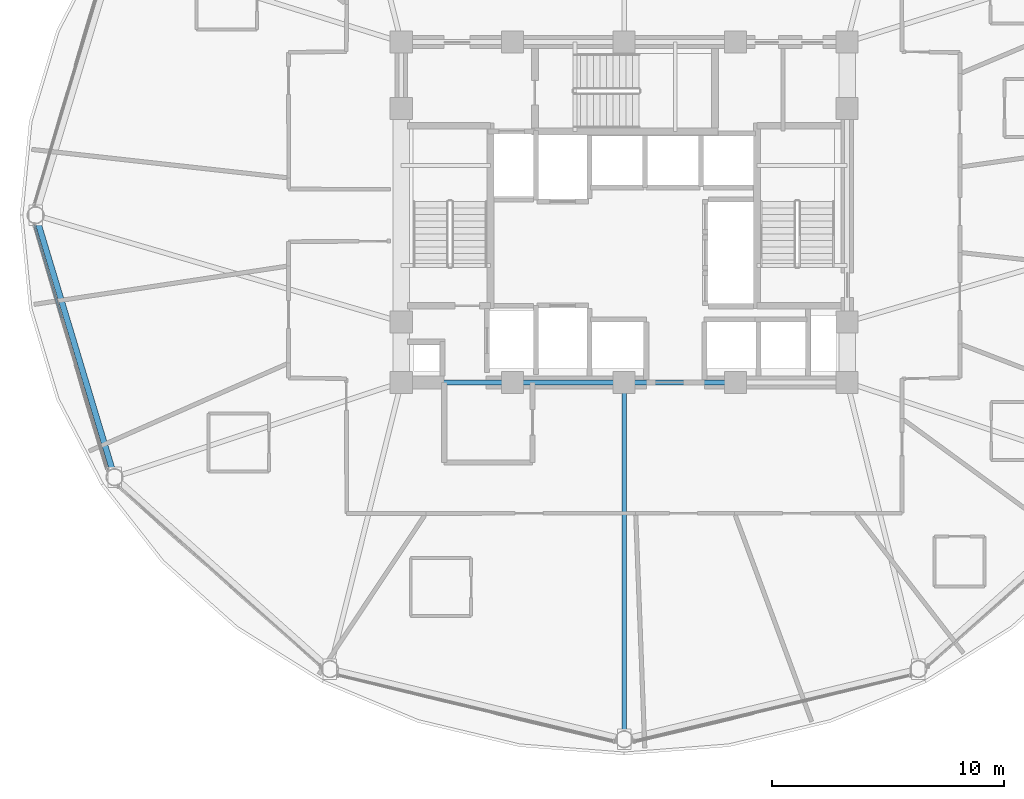
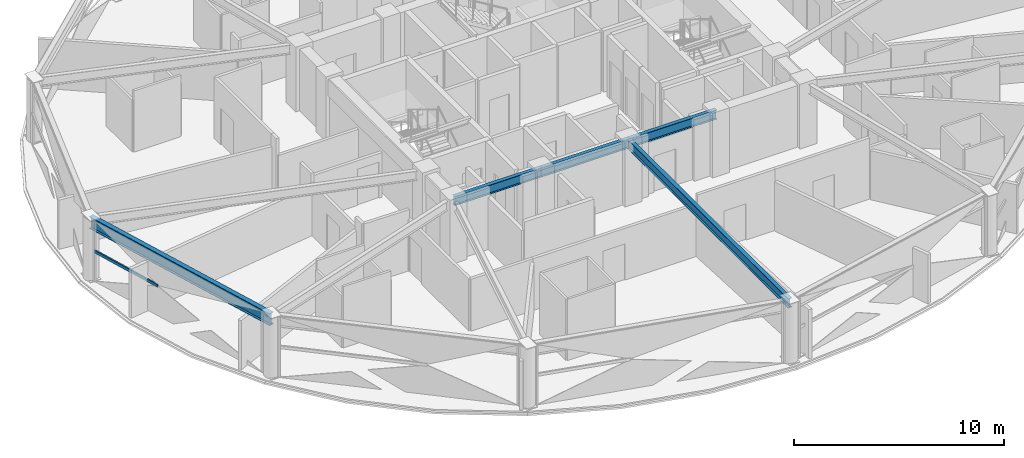
# One storey, part 6 of 31: 5 beams, 1 member, 1 element without a shape of its own.
"""IFC4 building model written with IfcOpenShell, lengths in metres."""

import ifcopenshell
import ifcopenshell.guid

model = None  # the IFC model being written
_history = None  # IfcOwnerHistory: only IFC2X3 demands one
_inside = {}  # id of a spatial element -> (the spatial element, [elements in it])
_under = {}  # id of a project, library or spatial element -> (it, [spatial elements below it])
_declared = {}  # id of a project -> (the project, [libraries it declares])
_typed = {}  # id of a type object -> (the type object, [elements of that type])
_made_of = {}  # id of a material, layer set ... -> (it, [elements and type objects made of it])


def new_model(schema):
    """Start an empty IFC model of exactly this schema.

    Asked for "IFC4X3", IfcOpenShell would pick the latest addendum, in which some entities
    have other attributes; the version numbers below select the first issue.
    IFC2X3 requires an IfcOwnerHistory on every rooted entity: one is made here for all.
    """
    global model, _history
    if schema == "IFC4X3":
        model = ifcopenshell.file(schema_version=(4, 3, 0, 0))
    else:
        model = ifcopenshell.file(schema=schema)
    _inside.clear()
    _under.clear()
    _declared.clear()
    _typed.clear()
    _made_of.clear()
    _history = None
    if model.schema == "IFC2X3":
        org = make("IfcOrganization", Name="unknown")
        user = make(
            "IfcPersonAndOrganization",
            ThePerson=make("IfcPerson", FamilyName="unknown"),
            TheOrganization=org,
        )
        app = make(
            "IfcApplication",
            ApplicationDeveloper=org,
            Version="unknown",
            ApplicationFullName="unknown",
            ApplicationIdentifier="unknown",
        )
        _history = make(
            "IfcOwnerHistory",
            OwningUser=user,
            OwningApplication=app,
            ChangeAction="ADDED",
            CreationDate=0,
        )
    return model


def make(cls, **values):
    """One entity of the class cls with the attributes given. An attribute that is None is left unset."""
    return model.create_entity(
        cls, **{name: value for name, value in values.items() if value is not None}
    )


def rooted(cls, **values):
    """An entity with a GlobalId (a new one), such as an element, a storey or a relation."""
    return make(cls, GlobalId=ifcopenshell.guid.new(), OwnerHistory=_history, **values)


def si_unit(unit_type, name, prefix=None):
    """IfcSIUnit, for example si_unit("LENGTHUNIT", "METRE", prefix="MILLI")."""
    return make("IfcSIUnit", UnitType=unit_type, Prefix=prefix, Name=name)


def assignment(units):
    """IfcUnitAssignment: the units of a project."""
    return None if units is None else make("IfcUnitAssignment", Units=units)


def point(xyz):
    """IfcCartesianPoint."""
    return None if xyz is None else make("IfcCartesianPoint", Coordinates=xyz)


def direction(xyz):
    """IfcDirection."""
    return None if xyz is None else make("IfcDirection", DirectionRatios=xyz)


def frame(location, z_axis=None, x_axis=None):
    """IfcAxis2Placement3D, a coordinate frame: its origin and axes. An axis left out is left unset."""
    return make(
        "IfcAxis2Placement3D",
        Location=point(location),
        Axis=direction(z_axis),
        RefDirection=direction(x_axis),
    )


def frame_2d(location, x_axis=None):
    """IfcAxis2Placement2D, a coordinate frame in the plane: its origin and x axis."""
    return make(
        "IfcAxis2Placement2D", Location=point(location), RefDirection=direction(x_axis)
    )


def origin():
    """The frame at (0, 0, 0) with its axes left unset."""
    return frame((0.0, 0.0, 0.0))


def origin_2d():
    """The frame at (0, 0) in the plane with its x axis left unset."""
    return frame_2d((0.0, 0.0))


def place(relative_to, where):
    """IfcLocalPlacement: puts the frame where relative to a parent placement (None: the world)."""
    return make(
        "IfcLocalPlacement", PlacementRelTo=relative_to, RelativePlacement=where
    )


def context(
    kind, dimensions, precision=None, world=None, true_north=None, identifier=None
):
    """IfcGeometricRepresentationContext, for example the 3D "Model" context."""
    return make(
        "IfcGeometricRepresentationContext",
        ContextIdentifier=identifier,
        ContextType=kind,
        CoordinateSpaceDimension=dimensions,
        Precision=precision,
        WorldCoordinateSystem=world,
        TrueNorth=true_north,
    )


def subcontext(parent, identifier, kind, view, scale=None):
    """IfcGeometricRepresentationSubContext, for example "Body" below "Model"."""
    return make(
        "IfcGeometricRepresentationSubContext",
        ContextIdentifier=identifier,
        ContextType=kind,
        ParentContext=parent,
        TargetScale=scale,
        TargetView=view,
    )


def project(units=None, contexts=None):
    """IfcProject with its units and contexts."""
    return rooted(
        "IfcProject",
        Name="project",
        RepresentationContexts=contexts,
        UnitsInContext=assignment(units),
    )


def spatial(cls, under=None, at=None, **own):
    """A site, building, storey or space (cls), placed at a placement, below another one or the project."""
    s = rooted(cls, ObjectPlacement=at, **own)
    if under is not None:
        _under.setdefault(under.id(), (under, []))[1].append(s)
    return s


def profile(cls, at=None, kind="AREA", **sizes):
    """A parametric profile (cls). Its sizes go by their IFC names, for example OverallWidth=200.0."""
    return make(cls, ProfileType=kind, Position=at, **sizes)


def hollow_rectangle(**sizes):
    """IfcRectangleHollowProfileDef."""
    return profile("IfcRectangleHollowProfileDef", **sizes)


def i_section(**sizes):
    """IfcIShapeProfileDef."""
    return profile("IfcIShapeProfileDef", **sizes)


def extrude(swept, where, along, depth):
    """IfcExtrudedAreaSolid: the profile swept, set in the frame where, extruded along a direction by depth."""
    return make(
        "IfcExtrudedAreaSolid",
        SweptArea=swept,
        Position=where,
        ExtrudedDirection=direction(along),
        Depth=depth,
    )


def shape(context_of_items, identifier, shape_type, items):
    """IfcShapeRepresentation: the items that make up one representation, for example the "Body"."""
    return make(
        "IfcShapeRepresentation",
        ContextOfItems=context_of_items,
        RepresentationIdentifier=identifier,
        RepresentationType=shape_type,
        Items=items,
    )


def material(Name=None, Category=None):
    """IfcMaterial."""
    return make("IfcMaterial", Name=Name, Category=Category)


def layer(
    of_material, thickness, ventilated=None, Name=None, Category=None, Priority=None
):
    """IfcMaterialLayer: one layer of a wall or slab, of a material (None: an air gap)."""
    return make(
        "IfcMaterialLayer",
        Material=of_material,
        LayerThickness=thickness,
        IsVentilated=ventilated,
        Name=Name,
        Category=Category,
        Priority=Priority,
    )


def layer_set(layers, Name=None):
    """IfcMaterialLayerSet."""
    return make("IfcMaterialLayerSet", MaterialLayers=layers, LayerSetName=Name)


def material_profile(
    of_material, cross_section, Name=None, Category=None, Priority=None
):
    """IfcMaterialProfile: a cross section and its material."""
    return make(
        "IfcMaterialProfile",
        Name=Name,
        Material=of_material,
        Profile=cross_section,
        Priority=Priority,
        Category=Category,
    )


def profile_set(profiles, Name=None, composite=None):
    """IfcMaterialProfileSet."""
    return make(
        "IfcMaterialProfileSet",
        Name=Name,
        MaterialProfiles=profiles,
        CompositeProfile=composite,
    )


def made_of(thing, what):
    """Note that an element or type object is made of a material, layer set ...; save() writes the relation."""
    if what is not None:
        _made_of.setdefault(what.id(), (what, []))[1].append(thing)
    return thing


def type_object(cls, material=None, **own):
    """A type object (cls), such as IfcWallType, which elements share."""
    return made_of(rooted(cls, **own), material)


def element(
    cls,
    number,
    at=None,
    inside=None,
    cuts=None,
    type_object=None,
    material=None,
    context=None,
    identifier="Body",
    shape_type=None,
    held_by="IfcProductDefinitionShape",
    body=None,
    shapes=None,
    **own,
):
    """One element of the class cls, such as IfcWall. Its Tag is "e" and its number.

    at: its placement. inside: the storey or other place that contains it. cuts: it is an
    opening in that element (IfcRelVoidsElement). A single representation is given by context,
    identifier, shape_type and body (its items); several are given by shapes. held_by: the class
    of the entity that holds the representations. save() writes the other relations.
    """
    e = rooted(cls, Tag="e%d" % number, ObjectPlacement=at, **own)
    if body is not None:
        shapes = [shape(context, identifier, shape_type, body)]
    if shapes is not None:
        e.Representation = make(held_by, Representations=shapes)
    if inside is not None:
        _inside.setdefault(inside.id(), (inside, []))[1].append(e)
    if cuts is not None:
        rooted(
            "IfcRelVoidsElement", RelatingBuildingElement=cuts, RelatedOpeningElement=e
        )
    if type_object is not None:
        _typed.setdefault(type_object.id(), (type_object, []))[1].append(e)
    return made_of(e, material)


def aggregate(whole, parts):
    """IfcRelAggregates: a whole, such as a stair, and the parts it consists of."""
    return rooted("IfcRelAggregates", RelatingObject=whole, RelatedObjects=parts)


def save(model, path):
    """Write the relations noted so far, then the file.

    IfcRelAggregates (storeys below a building ...), IfcRelContainedInSpatialStructure (elements
    in a storey), IfcRelDefinesByType, IfcRelAssociatesMaterial and IfcRelDeclares: one each for
    every whole, place, type object, material and project.
    """
    for whole, parts in _under.values():
        aggregate(whole, parts)
    for where, things in _inside.values():
        rooted(
            "IfcRelContainedInSpatialStructure",
            RelatedElements=things,
            RelatingStructure=where,
        )
    for kind, things in _typed.values():
        rooted("IfcRelDefinesByType", RelatedObjects=things, RelatingType=kind)
    for what, things in _made_of.values():
        rooted("IfcRelAssociatesMaterial", RelatedObjects=things, RelatingMaterial=what)
    for by, libraries in _declared.values():
        rooted("IfcRelDeclares", RelatingContext=by, RelatedDefinitions=libraries)
    model.write(path)


model = new_model("IFC4")

# Units and contexts
model_context = context("Model", 3, precision=1e-05, world=origin(), true_north=direction((0.0, 1.0)))
body_context = subcontext(model_context, "Body", "Model", "MODEL_VIEW")
ifc_project = project(units=[si_unit("LENGTHUNIT", "METRE"), si_unit("AREAUNIT", "SQUARE_METRE"), si_unit("VOLUMEUNIT", "CUBIC_METRE"), si_unit("PLANEANGLEUNIT", "RADIAN"), si_unit("MASSUNIT", "GRAM", prefix="KILO")], contexts=[model_context])

# Site, building, storey
site_placement = place(None, origin())
site = spatial("IfcSite", under=ifc_project, at=site_placement, CompositionType="ELEMENT")
building_placement = place(site_placement, origin())
building = spatial("IfcBuilding", under=site, at=building_placement, Name="Vantalir Tower", CompositionType="ELEMENT")
storey_placement = place(building_placement, frame((0.0, 0.0, 123.449951171875)))
storey = spatial("IfcBuildingStorey", under=building, at=storey_placement, Name="L30", CompositionType="ELEMENT", Elevation=123.449951171875)

# Beams
ifc_material_1 = material(Name="Steel S355", Category="steel")
ifc_material_profile_1 = material_profile(ifc_material_1, i_section(OverallWidth=0.2109375, OverallDepth=0.5390625, WebThickness=0.01171875, FlangeThickness=0.018798828125, at=origin_2d()), Name="Steel S355")
ifc_profile_set_1 = profile_set([ifc_material_profile_1], Name="Steel S355")
beam_type_1 = type_object("IfcBeamType", Name="BM-RB-533x210", PredefinedType="BEAM", material=ifc_profile_set_1)
for number, where, z_axis, x_axis, name in (
    (1, (21.89990234375, 17.800048828125, 3.300048828125), (1.0, 0.0, 0.0), (0.0, 1.0, 0.0), "L30 Core Coupling Girder 01"),
    (2, (26.699951171875, 17.800048828125, 3.300048828125), (1.0, 0.0, 0.0), (0.0, 1.0, 0.0), "L30 Core Coupling Girder 02"),
    (3, (31.5, 17.800048828125, 3.300048828125), (1.0, 0.0, 0.0), (0.0, 1.0, 0.0), "L30 Core Coupling Girder 03"),
):
    element("IfcBeam", number, at=place(storey_placement, frame(where, z_axis=z_axis, x_axis=x_axis)), inside=storey, type_object=beam_type_1, Name=name, PredefinedType="BEAM", context=body_context, shape_type="SweptSolid", body=[
        extrude(i_section(OverallWidth=0.2109375, OverallDepth=0.5390625, WebThickness=0.01171875, FlangeThickness=0.018798828125, at=origin_2d()), origin(), (0.0, 0.0, 1.0), 4.800048828125),
    ])
beam_1_placement = place(storey_placement, frame((31.5, 2.43408203125, 3.300048828125), z_axis=(0.0, 1.0, 0.0), x_axis=(-1.0, 0.0, 0.0)))
element("IfcBeam", 4, at=beam_1_placement, inside=storey, type_object=beam_type_1, Name="L30 Radial Floor Beam 10", PredefinedType="BEAM", context=body_context, shape_type="SweptSolid", body=[
    extrude(i_section(OverallWidth=0.2109375, OverallDepth=0.5390625, WebThickness=0.01171875, FlangeThickness=0.018798828125, at=origin_2d()), origin(), (0.0, 0.0, 1.0), 15.365966796875),
])
ifc_material_2 = material(Name="Steel S460", Category="steel")
ifc_material_profile_2 = material_profile(ifc_material_2, i_section(OverallWidth=0.256103515625, OverallDepth=0.693115234375, WebThickness=0.014404296875, FlangeThickness=0.023681640625, at=origin_2d()), Name="Steel S460")
ifc_profile_set_2 = profile_set([ifc_material_profile_2], Name="Steel S460")
beam_type_2 = type_object("IfcBeamType", Name="BM-RG-686x254", PredefinedType="USERDEFINED", material=ifc_profile_set_2)
beam_2_placement = place(storey_placement, frame((6.159912109375, 25.0, 3.22314453125), z_axis=(0.288136680777, -0.957589292542, 0.0), x_axis=(0.957589292542, 0.288136680777, 0.0)))
element("IfcBeam", 5, at=beam_2_placement, inside=storey, type_object=beam_type_2, Name="L30 Circumferential Ring Girder 07", ObjectType="GIRDER", PredefinedType="USERDEFINED", context=body_context, shape_type="SweptSolid", body=[
    extrude(i_section(OverallWidth=0.256103515625, OverallDepth=0.693115234375, WebThickness=0.014404296875, FlangeThickness=0.023681640625, at=origin_2d()), origin(), (0.0, 0.0, 1.0), 11.78271484375),
])

# Curtain wall, member
ifc_material_3 = material(Name="Champagne-silver PVDF aluminium and double-silver Low-E glass", Category="aluminium")
ifc_layer = layer(ifc_material_3, 0.199951171875)
ifc_layer_set = layer_set([ifc_layer], Name="Champagne-silver PVDF aluminium and double-silver Low-E glass")
curtain_wall_type = type_object("IfcCurtainWallType", Name="CW-DIAMOND-Z2", PredefinedType="USERDEFINED", material=ifc_layer_set)
curtain_wall_placement = place(storey_placement, origin())
curtain_wall = element("IfcCurtainWall", 6, at=curtain_wall_placement, inside=storey, type_object=curtain_wall_type, Name="L30 Quilted Pyramid-Diamond Curtain Wall S07", ObjectType="UNITISED CURTAIN WALL", PredefinedType="USERDEFINED")
ifc_material_4 = material(Name="Champagne-silver PVDF aluminium 6063-T6", Category="aluminium")
ifc_material_profile_3 = material_profile(ifc_material_4, hollow_rectangle(XDim=0.074951171875, YDim=0.159912109375, WallThickness=0.00390625, at=origin_2d()), Name="Champagne-silver PVDF aluminium 6063-T6")
ifc_profile_set_3 = profile_set([ifc_material_profile_3], Name="Champagne-silver PVDF aluminium 6063-T6")
member_type = type_object("IfcMemberType", Name="CWT-160x75", PredefinedType="USERDEFINED", material=ifc_profile_set_3)
member_placement = place(storey_placement, frame((6.096923828125, 24.5791015625, 1.78515625), z_axis=(0.282191634129, -0.95935805705, 0.0), x_axis=(0.95935805705, 0.282191634129, 0.0)))
member = element("IfcMember", 7, at=member_placement, type_object=member_type, Name="CW-L30-S07 Pyramid Fold Ridge Transom", ObjectType="TRANSOM", PredefinedType="USERDEFINED", context=body_context, shape_type="SweptSolid", body=[
    extrude(hollow_rectangle(XDim=0.074951171875, YDim=0.159912109375, WallThickness=0.00390625, at=origin_2d()), origin(), (0.0, 0.0, 1.0), 4.177734375),
])
aggregate(curtain_wall, [member])

save(model, "model.ifc")
